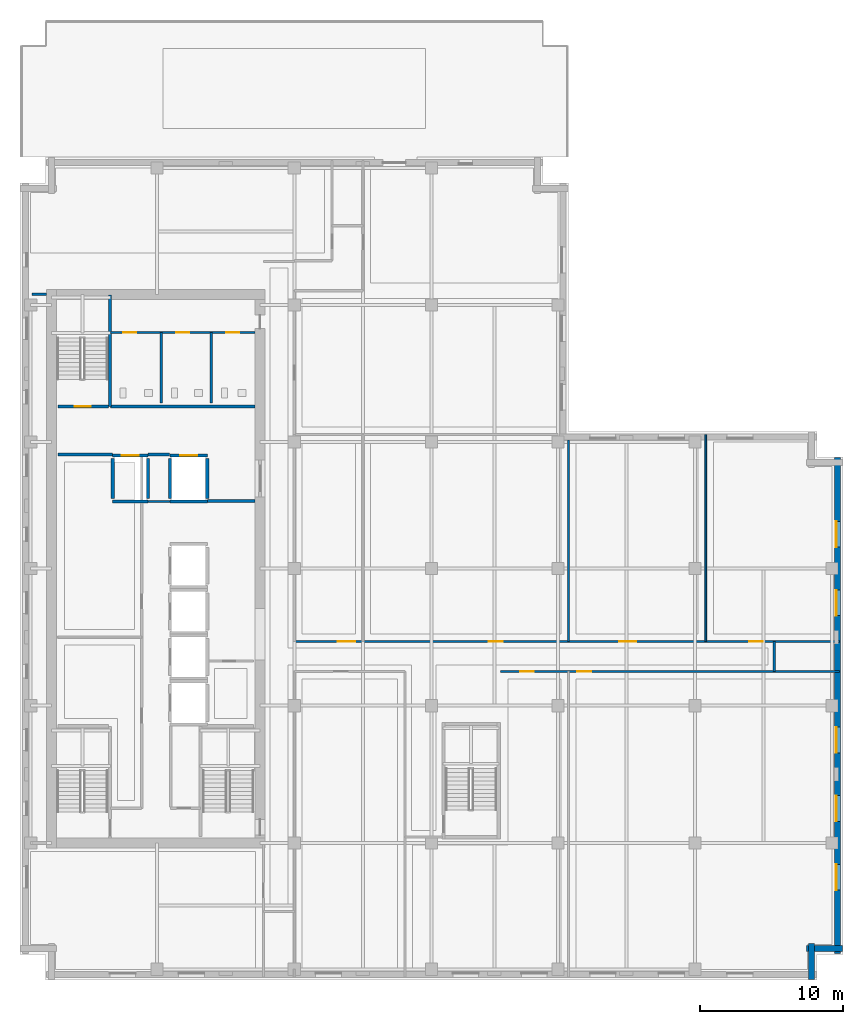
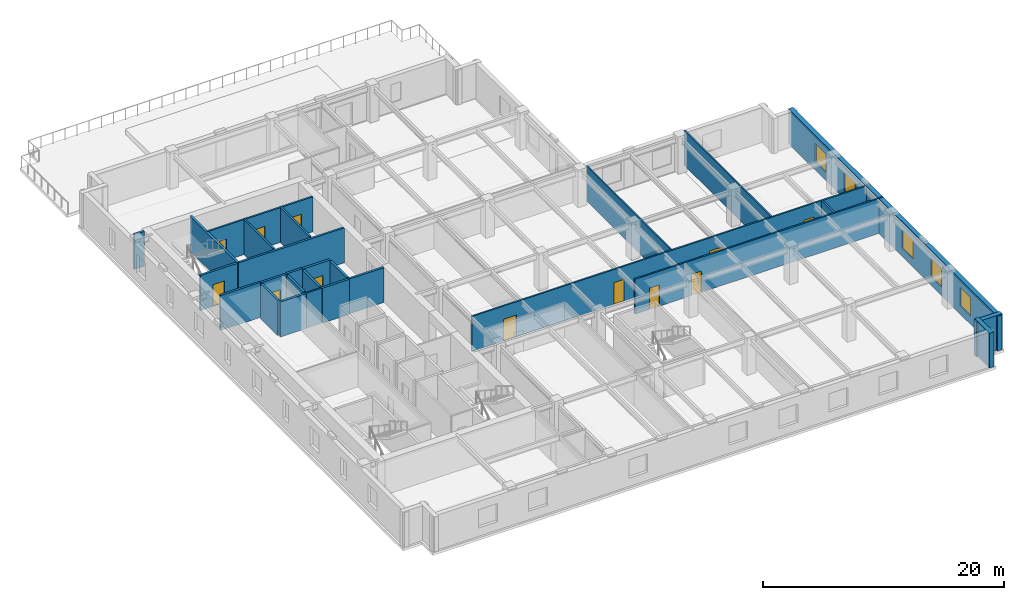
# One storey, part 5 of 12: 27 walls, 12 doors, 5 windows, 17 openings.
"""IFC4 building model written with IfcOpenShell, lengths in metres."""

from ifc_helpers import new_model, si_unit, direction, frame, frame_2d, origin, place, context, subcontext, project, spatial, rectangle, extrude, material, layer, layer_set, type_object, element, fill, save


model = new_model("IFC4")

# Units and contexts
model_context = context("Model", 3, precision=1e-05, world=origin(), true_north=direction((0.0, 1.0)))
body_context = subcontext(model_context, "Body", "Model", "MODEL_VIEW")
ifc_project = project(units=[si_unit("LENGTHUNIT", "METRE"), si_unit("AREAUNIT", "SQUARE_METRE"), si_unit("VOLUMEUNIT", "CUBIC_METRE"), si_unit("PLANEANGLEUNIT", "RADIAN"), si_unit("MASSUNIT", "GRAM", prefix="KILO")], contexts=[model_context])

# Site, building, storey
site_placement = place(None, origin())
site = spatial("IfcSite", under=ifc_project, at=site_placement, CompositionType="ELEMENT")
building_placement = place(site_placement, origin())
building = spatial("IfcBuilding", under=site, at=building_placement, Name="Norrvale University Quadrangle", CompositionType="ELEMENT")
storey_placement = place(building_placement, frame((0.0, 0.0, 199.0)))
storey = spatial("IfcBuildingStorey", under=building, at=storey_placement, Name="L50", CompositionType="ELEMENT", Elevation=199.0)

# Walls
ifc_material_1 = material(Name="Buff Norman Clay Brick Masonry", Category="masonry")
ifc_layer_1 = layer(ifc_material_1, 0.419921875, Name="Buff Norman Clay Brick Masonry")
ifc_layer_set_1 = layer_set([ifc_layer_1], Name="Buff Norman Clay Brick Masonry")
wall_type_1 = type_object("IfcWallType", Name="Wall Buff Brick 420", PredefinedType="SOLIDWALL", material=ifc_layer_set_1)
for number, where, z_axis, x_axis, name in (
    (1, (55.409912109375, 0.0400390625, 0.0), (0.0, 0.0, 1.0), (0.0, 1.0, 0.0), "Exterior Brick Facade Wall L50-02.1"),
    (2, (55.06005859375, 2.18994140625, 0.0), (0.0, 0.0, 1.0), (1.0, 0.0, 0.0), "Exterior Brick Facade Wall L50-03.1"),
):
    element("IfcWall", number, at=place(storey_placement, frame(where, z_axis=z_axis, x_axis=x_axis)), inside=storey, type_object=wall_type_1, Name=name, PredefinedType="SOLIDWALL", context=body_context, shape_type="SweptSolid", body=[
        extrude(rectangle(XDim=2.5, YDim=0.419921875, at=frame_2d((1.25, 0.0))), origin(), (0.0, 0.0, 1.0), 3.5400390625),
    ])

# Wall, openings, windows
wall_1_placement = place(storey_placement, frame((57.2099609375, 1.840087890625, 0.0), z_axis=(0.0, 0.0, 1.0), x_axis=(0.0, 1.0, 0.0)))
wall_1 = element("IfcWall", 3, at=wall_1_placement, inside=storey, type_object=wall_type_1, Name="Exterior Brick Facade Wall L50-04.1", PredefinedType="SOLIDWALL", context=body_context, shape_type="SweptSolid", body=[
    extrude(rectangle(XDim=34.719970703125, YDim=0.419921875, at=frame_2d((17.35986328125, 0.0))), origin(), (0.0, 0.0, 1.0), 3.5400390625),
])
opening_1_placement = place(wall_1_placement, frame((4.4599609375, 0.0, 0.85009765625)))
opening_1 = element("IfcOpeningElement", 4, at=opening_1_placement, cuts=wall_1, Name="Opening W01", PredefinedType="OPENING", context=body_context, shape_type="SweptSolid", body=[
    extrude(rectangle(XDim=1.800048828125, YDim=1.85009765625, at=frame_2d((0.89990234375, 0.925048828125))), frame((0.0, 0.221923828125, 0.0), z_axis=(0.0, -1.0, 0.0), x_axis=(1.0, 0.0, 0.0)), (0.0, 0.0, 1.0), 0.44384765625),
])
opening_2_placement = place(wall_1_placement, frame((9.260009765625, 0.0, 0.85009765625)))
opening_2 = element("IfcOpeningElement", 5, at=opening_2_placement, cuts=wall_1, Name="Opening W01", PredefinedType="OPENING", context=body_context, shape_type="SweptSolid", body=[
    extrude(rectangle(XDim=1.800048828125, YDim=1.85009765625, at=frame_2d((0.89990234375, 0.925048828125))), frame((0.0, 0.221923828125, 0.0), z_axis=(0.0, -1.0, 0.0), x_axis=(1.0, 0.0, 0.0)), (0.0, 0.0, 1.0), 0.44384765625),
])
opening_3_placement = place(wall_1_placement, frame((14.06005859375, 0.0, 0.85009765625)))
opening_3 = element("IfcOpeningElement", 6, at=opening_3_placement, cuts=wall_1, Name="Opening W01", PredefinedType="OPENING", context=body_context, shape_type="SweptSolid", body=[
    extrude(rectangle(XDim=1.800048828125, YDim=1.85009765625, at=frame_2d((0.89990234375, 0.925048828125))), frame((0.0, 0.221923828125, 0.0), z_axis=(0.0, -1.0, 0.0), x_axis=(1.0, 0.0, 0.0)), (0.0, 0.0, 1.0), 0.44384765625),
])
opening_4_placement = place(wall_1_placement, frame((23.659912109375, 0.0, 0.85009765625)))
opening_4 = element("IfcOpeningElement", 7, at=opening_4_placement, cuts=wall_1, Name="Opening W01", PredefinedType="OPENING", context=body_context, shape_type="SweptSolid", body=[
    extrude(rectangle(XDim=1.800048828125, YDim=1.85009765625, at=frame_2d((0.89990234375, 0.925048828125))), frame((0.0, 0.221923828125, 0.0), z_axis=(0.0, -1.0, 0.0), x_axis=(1.0, 0.0, 0.0)), (0.0, 0.0, 1.0), 0.44384765625),
])
opening_5_placement = place(wall_1_placement, frame((28.4599609375, 0.0, 0.85009765625)))
opening_5 = element("IfcOpeningElement", 8, at=opening_5_placement, cuts=wall_1, Name="Opening W01", PredefinedType="OPENING", context=body_context, shape_type="SweptSolid", body=[
    extrude(rectangle(XDim=1.800048828125, YDim=1.85009765625, at=frame_2d((0.89990234375, 0.925048828125))), frame((0.0, 0.221923828125, 0.0), z_axis=(0.0, -1.0, 0.0), x_axis=(1.0, 0.0, 0.0)), (0.0, 0.0, 1.0), 0.44384765625),
])
ifc_material_2 = material(Name="Triple Low-E Argon Glazing", Category="glass")
window_type = type_object("IfcWindowType", Name="Window Academic 1800x2300", PartitioningType="DOUBLE_PANEL_VERTICAL", PredefinedType="WINDOW", material=ifc_material_2)
window_1_placement = place(opening_1_placement, origin())
window_1 = element("IfcWindow", 9, at=window_1_placement, inside=storey, type_object=window_type, Name="Window Academic 1800x2300 WIN-L50-E04-1-01", OverallHeight=1.85009765625, OverallWidth=1.800048828125, PartitioningType="DOUBLE_PANEL_VERTICAL", PredefinedType="WINDOW", context=body_context, shape_type="SweptSolid", body=[
    extrude(rectangle(XDim=1.800048828125, YDim=1.85009765625, at=frame_2d((0.89990234375, 0.925048828125))), frame((0.0, 0.110107421875, 0.0), z_axis=(0.0, -1.0, 0.0), x_axis=(1.0, 0.0, 0.0)), (0.0, 0.0, 1.0), 0.06005859375),
])
fill(opening_1, window_1)
window_2_placement = place(opening_2_placement, origin())
window_2 = element("IfcWindow", 10, at=window_2_placement, inside=storey, type_object=window_type, Name="Window Academic 1800x2300 WIN-L50-E04-1-02", OverallHeight=1.85009765625, OverallWidth=1.800048828125, PartitioningType="DOUBLE_PANEL_VERTICAL", PredefinedType="WINDOW", context=body_context, shape_type="SweptSolid", body=[
    extrude(rectangle(XDim=1.800048828125, YDim=1.85009765625, at=frame_2d((0.89990234375, 0.925048828125))), frame((0.0, 0.110107421875, 0.0), z_axis=(0.0, -1.0, 0.0), x_axis=(1.0, 0.0, 0.0)), (0.0, 0.0, 1.0), 0.06005859375),
])
fill(opening_2, window_2)
window_3_placement = place(opening_3_placement, origin())
window_3 = element("IfcWindow", 11, at=window_3_placement, inside=storey, type_object=window_type, Name="Window Academic 1800x2300 WIN-L50-E04-1-03", OverallHeight=1.85009765625, OverallWidth=1.800048828125, PartitioningType="DOUBLE_PANEL_VERTICAL", PredefinedType="WINDOW", context=body_context, shape_type="SweptSolid", body=[
    extrude(rectangle(XDim=1.800048828125, YDim=1.85009765625, at=frame_2d((0.89990234375, 0.925048828125))), frame((0.0, 0.110107421875, 0.0), z_axis=(0.0, -1.0, 0.0), x_axis=(1.0, 0.0, 0.0)), (0.0, 0.0, 1.0), 0.06005859375),
])
fill(opening_3, window_3)
window_4_placement = place(opening_4_placement, origin())
window_4 = element("IfcWindow", 12, at=window_4_placement, inside=storey, type_object=window_type, Name="Window Academic 1800x2300 WIN-L50-E04-1-04", OverallHeight=1.85009765625, OverallWidth=1.800048828125, PartitioningType="DOUBLE_PANEL_VERTICAL", PredefinedType="WINDOW", context=body_context, shape_type="SweptSolid", body=[
    extrude(rectangle(XDim=1.800048828125, YDim=1.85009765625, at=frame_2d((0.89990234375, 0.925048828125))), frame((0.0, 0.110107421875, 0.0), z_axis=(0.0, -1.0, 0.0), x_axis=(1.0, 0.0, 0.0)), (0.0, 0.0, 1.0), 0.06005859375),
])
fill(opening_4, window_4)
window_5_placement = place(opening_5_placement, origin())
window_5 = element("IfcWindow", 13, at=window_5_placement, inside=storey, type_object=window_type, Name="Window Academic 1800x2300 WIN-L50-E04-1-05", OverallHeight=1.85009765625, OverallWidth=1.800048828125, PartitioningType="DOUBLE_PANEL_VERTICAL", PredefinedType="WINDOW", context=body_context, shape_type="SweptSolid", body=[
    extrude(rectangle(XDim=1.800048828125, YDim=1.85009765625, at=frame_2d((0.89990234375, 0.925048828125))), frame((0.0, 0.110107421875, 0.0), z_axis=(0.0, -1.0, 0.0), x_axis=(1.0, 0.0, 0.0)), (0.0, 0.0, 1.0), 0.06005859375),
])
fill(opening_5, window_5)

# Walls
ifc_material_3 = material(Name="Standard Academic Gypsum Partition")
ifc_layer_2 = layer(ifc_material_3, 0.125, Name="Standard Academic Gypsum Partition")
ifc_layer_set_2 = layer_set([ifc_layer_2], Name="Standard Academic Gypsum Partition")
wall_type_2 = type_object("IfcWallType", Name="Wall Gypsum Academic 125", PredefinedType="PARTITIONING", material=ifc_layer_set_2)
wall_2_placement = place(storey_placement, frame((38.39990234375, 23.699951171875, 0.0), z_axis=(0.0, 0.0, 1.0), x_axis=(0.0, 1.0, 0.0)))
element("IfcWall", 14, at=wall_2_placement, inside=storey, type_object=wall_type_2, Name="Interior Partition WL-L50-MEP02", PredefinedType="PARTITIONING", context=body_context, shape_type="SweptSolid", body=[
    extrude(rectangle(XDim=14.090087890625, YDim=0.125, at=frame_2d((7.044921875, 0.0))), origin(), (0.0, 0.0, 1.0), 3.5400390625),
])
wall_3_placement = place(storey_placement, frame((48.0, 23.699951171875, 0.0), z_axis=(0.0, 0.0, 1.0), x_axis=(0.0, 1.0, 0.0)))
element("IfcWall", 15, at=wall_3_placement, inside=storey, type_object=wall_type_2, Name="Interior Partition WL-L50-MEP03", PredefinedType="PARTITIONING", context=body_context, shape_type="SweptSolid", body=[
    extrude(rectangle(XDim=14.47998046875, YDim=0.125, at=frame_2d((7.239990234375, 0.0))), origin(), (0.0, 0.0, 1.0), 3.5400390625),
])
ifc_material_4 = material(Name="Fire-Rated Gypsum Stud Partition")
ifc_layer_3 = layer(ifc_material_4, 0.14990234375, Name="Fire-Rated Gypsum Stud Partition")
ifc_layer_set_3 = layer_set([ifc_layer_3], Name="Fire-Rated Gypsum Stud Partition")
wall_type_3 = type_object("IfcWallType", Name="Wall Gypsum Corridor 150", PredefinedType="PARTITIONING", material=ifc_layer_set_3)
wall_4_placement = place(storey_placement, frame((8.965087890625, 33.489990234375, 0.0), z_axis=(0.0, 0.0, 1.0), x_axis=(1.0, 0.0, 0.0)))
element("IfcWall", 16, at=wall_4_placement, inside=storey, type_object=wall_type_3, Name="Interior Partition WL-L50-LL3", PredefinedType="PARTITIONING", context=body_context, shape_type="SweptSolid", body=[
    extrude(rectangle(XDim=1.52001953125, YDim=0.14990234375, at=frame_2d((0.760009765625, 0.0))), origin(), (0.0, 0.0, 1.0), 3.5400390625),
])
wall_5_placement = place(storey_placement, frame((52.800048828125, 21.60009765625, 0.0), z_axis=(0.0, 0.0, 1.0), x_axis=(0.0, 1.0, 0.0)))
element("IfcWall", 17, at=wall_5_placement, inside=storey, type_object=wall_type_3, Name="Interior Partition WL-L50-CESP-E", PredefinedType="PARTITIONING", context=body_context, shape_type="SweptSolid", body=[
    extrude(rectangle(XDim=2.099853515625, YDim=0.14990234375, at=frame_2d((1.0498046875, 0.0))), origin(), (0.0, 0.0, 1.0), 3.5400390625),
])

# Wall, openings, doors
wall_6_placement = place(storey_placement, frame((33.6201171875, 21.60009765625, 0.0), z_axis=(0.0, 0.0, 1.0), x_axis=(1.0, 0.0, 0.0)))
wall_6 = element("IfcWall", 18, at=wall_6_placement, inside=storey, type_object=wall_type_3, Name="Interior Partition WL-L50-SEW2", PredefinedType="PARTITIONING", context=body_context, shape_type="SweptSolid", body=[
    extrude(rectangle(XDim=23.759765625, YDim=0.14990234375, at=frame_2d((11.8798828125, 0.0))), origin(), (0.0, 0.0, 1.0), 3.5400390625),
])
opening_6_placement = place(wall_6_placement, frame((1.39990234375, 0.0, 0.0)))
opening_6 = element("IfcOpeningElement", 19, at=opening_6_placement, cuts=wall_6, Name="Opening D07", PredefinedType="OPENING", context=body_context, shape_type="SweptSolid", body=[
    extrude(rectangle(XDim=0.949951171875, YDim=2.14990234375, at=frame_2d((0.47509765625, 1.074951171875))), frame((0.0, 0.0869140625, 0.0), z_axis=(0.0, -1.0, 0.0), x_axis=(1.0, 0.0, 0.0)), (0.0, 0.0, 1.0), 0.173828125),
])
opening_7_placement = place(wall_6_placement, frame((5.39990234375, 0.0, 0.0)))
opening_7 = element("IfcOpeningElement", 20, at=opening_7_placement, cuts=wall_6, Name="Opening D07", PredefinedType="OPENING", context=body_context, shape_type="SweptSolid", body=[
    extrude(rectangle(XDim=0.949951171875, YDim=2.14990234375, at=frame_2d((0.47509765625, 1.074951171875))), frame((0.0, 0.0869140625, 0.0), z_axis=(0.0, -1.0, 0.0), x_axis=(1.0, 0.0, 0.0)), (0.0, 0.0, 1.0), 0.173828125),
])
ifc_material_5 = material(Name="Solid-Core Maple Door", Category="wood")
door_type_1 = type_object("IfcDoorType", Name="Door Office 950x2150", OperationType="NOTDEFINED", PredefinedType="DOOR", material=ifc_material_5)
door_1_placement = place(opening_6_placement, origin())
door_1 = element("IfcDoor", 21, at=door_1_placement, inside=storey, type_object=door_type_1, Name="Door Office 950x2150 DR-L50-SE2", OperationType="SINGLE_SWING_RIGHT", OverallHeight=2.14990234375, OverallWidth=0.949951171875, PredefinedType="DOOR", context=body_context, shape_type="SweptSolid", body=[
    extrude(rectangle(XDim=0.949951171875, YDim=2.14990234375, at=frame_2d((0.47509765625, 1.074951171875))), frame((0.0, 0.02490234375, 0.0), z_axis=(0.0, -1.0, 0.0), x_axis=(1.0, 0.0, 0.0)), (0.0, 0.0, 1.0), 0.050048828125),
])
fill(opening_6, door_1)
door_2_placement = place(opening_7_placement, origin())
door_2 = element("IfcDoor", 22, at=door_2_placement, inside=storey, type_object=door_type_1, Name="Door Office 950x2150 DR-L50-SE3", OperationType="SINGLE_SWING_LEFT", OverallHeight=2.14990234375, OverallWidth=0.949951171875, PredefinedType="DOOR", context=body_context, shape_type="SweptSolid", body=[
    extrude(rectangle(XDim=0.949951171875, YDim=2.14990234375, at=frame_2d((0.47509765625, 1.074951171875))), frame((0.0, 0.02490234375, 0.0), z_axis=(0.0, -1.0, 0.0), x_axis=(1.0, 0.0, 0.0)), (0.0, 0.0, 1.0), 0.050048828125),
])
fill(opening_7, door_2)

wall_7_placement = place(storey_placement, frame((19.199951171875, 23.699951171875, 0.0), z_axis=(0.0, 0.0, 1.0), x_axis=(1.0, 0.0, 0.0)))
wall_7 = element("IfcWall", 23, at=wall_7_placement, inside=storey, type_object=wall_type_3, Name="Interior Partition WL-L50-MECW", PredefinedType="PARTITIONING", context=body_context, shape_type="SweptSolid", body=[
    extrude(rectangle(XDim=38.179931640625, YDim=0.14990234375, at=frame_2d((19.08984375, 0.0))), origin(), (0.0, 0.0, 1.0), 3.5400390625),
])
opening_8_placement = place(wall_7_placement, frame((3.050048828125, 0.0, 0.0)))
opening_8 = element("IfcOpeningElement", 24, at=opening_8_placement, cuts=wall_7, Name="Opening D05", PredefinedType="OPENING", context=body_context, shape_type="SweptSolid", body=[
    extrude(rectangle(XDim=1.199951171875, YDim=2.199951171875, at=frame_2d((0.60009765625, 1.10009765625))), frame((0.0, 0.0869140625, 0.0), z_axis=(0.0, -1.0, 0.0), x_axis=(1.0, 0.0, 0.0)), (0.0, 0.0, 1.0), 0.173828125),
])
opening_9_placement = place(wall_7_placement, frame((13.60009765625, 0.0, 0.0)))
opening_9 = element("IfcOpeningElement", 25, at=opening_9_placement, cuts=wall_7, Name="Opening D04", PredefinedType="OPENING", context=body_context, shape_type="SweptSolid", body=[
    extrude(rectangle(XDim=1.0, YDim=2.199951171875, at=frame_2d((0.5, 1.10009765625))), frame((0.0, 0.0869140625, 0.0), z_axis=(0.0, -1.0, 0.0), x_axis=(1.0, 0.0, 0.0)), (0.0, 0.0, 1.0), 0.173828125),
])
opening_10_placement = place(wall_7_placement, frame((22.75, 0.0, 0.0)))
opening_10 = element("IfcOpeningElement", 26, at=opening_10_placement, cuts=wall_7, Name="Opening D05", PredefinedType="OPENING", context=body_context, shape_type="SweptSolid", body=[
    extrude(rectangle(XDim=1.199951171875, YDim=2.199951171875, at=frame_2d((0.60009765625, 1.10009765625))), frame((0.0, 0.0869140625, 0.0), z_axis=(0.0, -1.0, 0.0), x_axis=(1.0, 0.0, 0.0)), (0.0, 0.0, 1.0), 0.173828125),
])
opening_11_placement = place(wall_7_placement, frame((31.85009765625, 0.0, 0.0)))
opening_11 = element("IfcOpeningElement", 27, at=opening_11_placement, cuts=wall_7, Name="Opening D07", PredefinedType="OPENING", context=body_context, shape_type="SweptSolid", body=[
    extrude(rectangle(XDim=0.949951171875, YDim=2.14990234375, at=frame_2d((0.47509765625, 1.074951171875))), frame((0.0, 0.0869140625, 0.0), z_axis=(0.0, -1.0, 0.0), x_axis=(1.0, 0.0, 0.0)), (0.0, 0.0, 1.0), 0.173828125),
])
ifc_material_6 = material(Name="Acoustic Oak Classroom Door", Category="wood")
door_type_2 = type_object("IfcDoorType", Name="Door Classroom 1200x2200", OperationType="NOTDEFINED", PredefinedType="DOOR", material=ifc_material_6)
door_3_placement = place(opening_8_placement, origin())
door_3 = element("IfcDoor", 28, at=door_3_placement, inside=storey, type_object=door_type_2, Name="Door Classroom 1200x2200 DR-L50-ME01", OperationType="SINGLE_SWING_LEFT", OverallHeight=2.199951171875, OverallWidth=1.199951171875, PredefinedType="DOOR", context=body_context, shape_type="SweptSolid", body=[
    extrude(rectangle(XDim=1.199951171875, YDim=2.199951171875, at=frame_2d((0.60009765625, 1.10009765625))), frame((0.0, 0.02490234375, 0.0), z_axis=(0.0, -1.0, 0.0), x_axis=(1.0, 0.0, 0.0)), (0.0, 0.0, 1.0), 0.050048828125),
])
fill(opening_8, door_3)
door_4_placement = place(opening_10_placement, origin())
door_4 = element("IfcDoor", 29, at=door_4_placement, inside=storey, type_object=door_type_2, Name="Door Classroom 1200x2200 DR-L50-ME03", OperationType="SINGLE_SWING_LEFT", OverallHeight=2.199951171875, OverallWidth=1.199951171875, PredefinedType="DOOR", context=body_context, shape_type="SweptSolid", body=[
    extrude(rectangle(XDim=1.199951171875, YDim=2.199951171875, at=frame_2d((0.60009765625, 1.10009765625))), frame((0.0, 0.02490234375, 0.0), z_axis=(0.0, -1.0, 0.0), x_axis=(1.0, 0.0, 0.0)), (0.0, 0.0, 1.0), 0.050048828125),
])
fill(opening_10, door_4)
ifc_material_7 = material(Name="Solid-Core Oak Fire Door", Category="wood")
door_type_3 = type_object("IfcDoorType", Name="Door Corridor 1000x2200", OperationType="NOTDEFINED", PredefinedType="DOOR", material=ifc_material_7)
door_5_placement = place(opening_9_placement, origin())
door_5 = element("IfcDoor", 30, at=door_5_placement, inside=storey, type_object=door_type_3, Name="Door Corridor 1000x2200 DR-L50-ME02", OperationType="SINGLE_SWING_RIGHT", OverallHeight=2.199951171875, OverallWidth=1.0, PredefinedType="DOOR", context=body_context, shape_type="SweptSolid", body=[
    extrude(rectangle(XDim=1.0, YDim=2.199951171875, at=frame_2d((0.5, 1.10009765625))), frame((0.0, 0.02490234375, 0.0), z_axis=(0.0, -1.0, 0.0), x_axis=(1.0, 0.0, 0.0)), (0.0, 0.0, 1.0), 0.050048828125),
])
fill(opening_9, door_5)
door_6_placement = place(opening_11_placement, origin())
door_6 = element("IfcDoor", 31, at=door_6_placement, inside=storey, type_object=door_type_1, Name="Door Office 950x2150 DR-L50-ME04", OperationType="SINGLE_SWING_RIGHT", OverallHeight=2.14990234375, OverallWidth=0.949951171875, PredefinedType="DOOR", context=body_context, shape_type="SweptSolid", body=[
    extrude(rectangle(XDim=0.949951171875, YDim=2.14990234375, at=frame_2d((0.47509765625, 1.074951171875))), frame((0.0, 0.02490234375, 0.0), z_axis=(0.0, -1.0, 0.0), x_axis=(1.0, 0.0, 0.0)), (0.0, 0.0, 1.0), 0.050048828125),
])
fill(opening_11, door_6)

ifc_material_8 = material(Name="Sanitary Chase Gypsum Partition")
ifc_layer_4 = layer(ifc_material_8, 0.1650390625, Name="Sanitary Chase Gypsum Partition")
ifc_layer_set_4 = layer_set([ifc_layer_4], Name="Sanitary Chase Gypsum Partition")
wall_type_4 = type_object("IfcWallType", Name="Wall Gypsum Sanitary 165", PredefinedType="PLUMBINGWALL", material=ifc_layer_set_4)
wall_8_placement = place(storey_placement, frame((6.320068359375, 45.320068359375, 0.0), z_axis=(0.0, 0.0, 1.0), x_axis=(1.0, 0.0, 0.0)))
wall_8 = element("IfcWall", 32, at=wall_8_placement, inside=storey, type_object=wall_type_4, Name="Interior Partition WL-L50-WCN", PredefinedType="PLUMBINGWALL", context=body_context, shape_type="SweptSolid", body=[
    extrude(rectangle(XDim=10.1298828125, YDim=0.1650390625, at=frame_2d((5.06494140625, 0.0))), origin(), (0.0, 0.0, 1.0), 3.5400390625),
])
opening_12_placement = place(wall_8_placement, frame((0.89990234375, 0.0, 0.0)))
opening_12 = element("IfcOpeningElement", 33, at=opening_12_placement, cuts=wall_8, Name="Opening D08", PredefinedType="OPENING", context=body_context, shape_type="SweptSolid", body=[
    extrude(rectangle(XDim=0.919921875, YDim=2.14990234375, at=frame_2d((0.4599609375, 1.074951171875))), frame((0.0, 0.094482421875, 0.0), z_axis=(0.0, -1.0, 0.0), x_axis=(1.0, 0.0, 0.0)), (0.0, 0.0, 1.0), 0.18896484375),
])
opening_13_placement = place(wall_8_placement, frame((4.60009765625, 0.0, 0.0)))
opening_13 = element("IfcOpeningElement", 34, at=opening_13_placement, cuts=wall_8, Name="Opening D08", PredefinedType="OPENING", context=body_context, shape_type="SweptSolid", body=[
    extrude(rectangle(XDim=0.919921875, YDim=2.14990234375, at=frame_2d((0.4599609375, 1.074951171875))), frame((0.0, 0.094482421875, 0.0), z_axis=(0.0, -1.0, 0.0), x_axis=(1.0, 0.0, 0.0)), (0.0, 0.0, 1.0), 0.18896484375),
])
opening_14_placement = place(wall_8_placement, frame((8.10009765625, 0.0, 0.0)))
opening_14 = element("IfcOpeningElement", 35, at=opening_14_placement, cuts=wall_8, Name="Opening D08", PredefinedType="OPENING", context=body_context, shape_type="SweptSolid", body=[
    extrude(rectangle(XDim=0.919921875, YDim=2.14990234375, at=frame_2d((0.4599609375, 1.074951171875))), frame((0.0, 0.094482421875, 0.0), z_axis=(0.0, -1.0, 0.0), x_axis=(1.0, 0.0, 0.0)), (0.0, 0.0, 1.0), 0.18896484375),
])
ifc_material_9 = material(Name="Laminate Washroom Door", Category="wood")
door_type_4 = type_object("IfcDoorType", Name="Door Washroom 920x2150", OperationType="NOTDEFINED", PredefinedType="DOOR", material=ifc_material_9)
door_7_placement = place(opening_12_placement, origin())
door_7 = element("IfcDoor", 36, at=door_7_placement, inside=storey, type_object=door_type_4, Name="Door Washroom 920x2150 DR-L50-WC1", OperationType="SINGLE_SWING_LEFT", OverallHeight=2.14990234375, OverallWidth=0.919921875, PredefinedType="DOOR", context=body_context, shape_type="SweptSolid", body=[
    extrude(rectangle(XDim=0.919921875, YDim=2.14990234375, at=frame_2d((0.4599609375, 1.074951171875))), frame((0.0, 0.02490234375, 0.0), z_axis=(0.0, -1.0, 0.0), x_axis=(1.0, 0.0, 0.0)), (0.0, 0.0, 1.0), 0.050048828125),
])
fill(opening_12, door_7)
door_8_placement = place(opening_13_placement, origin())
door_8 = element("IfcDoor", 37, at=door_8_placement, inside=storey, type_object=door_type_4, Name="Door Washroom 920x2150 DR-L50-WC2", OperationType="SINGLE_SWING_RIGHT", OverallHeight=2.14990234375, OverallWidth=0.919921875, PredefinedType="DOOR", context=body_context, shape_type="SweptSolid", body=[
    extrude(rectangle(XDim=0.919921875, YDim=2.14990234375, at=frame_2d((0.4599609375, 1.074951171875))), frame((0.0, 0.02490234375, 0.0), z_axis=(0.0, -1.0, 0.0), x_axis=(1.0, 0.0, 0.0)), (0.0, 0.0, 1.0), 0.050048828125),
])
fill(opening_13, door_8)
door_9_placement = place(opening_14_placement, origin())
door_9 = element("IfcDoor", 38, at=door_9_placement, inside=storey, type_object=door_type_4, Name="Door Washroom 920x2150 DR-L50-WC3", OperationType="SINGLE_SWING_LEFT", OverallHeight=2.14990234375, OverallWidth=0.919921875, PredefinedType="DOOR", context=body_context, shape_type="SweptSolid", body=[
    extrude(rectangle(XDim=0.919921875, YDim=2.14990234375, at=frame_2d((0.4599609375, 1.074951171875))), frame((0.0, 0.02490234375, 0.0), z_axis=(0.0, -1.0, 0.0), x_axis=(1.0, 0.0, 0.0)), (0.0, 0.0, 1.0), 0.050048828125),
])
fill(opening_14, door_9)

# Walls
for number, where, z_axis, x_axis, name in (
    (39, (9.89990234375, 40.39990234375, 0.0), (0.0, 0.0, 1.0), (0.0, 1.0, 0.0), "Interior Partition WL-L50-WCM1"),
    (40, (13.39990234375, 40.39990234375, 0.0), (0.0, 0.0, 1.0), (0.0, 1.0, 0.0), "Interior Partition WL-L50-WCM2"),
):
    element("IfcWall", number, at=place(storey_placement, frame(where, z_axis=z_axis, x_axis=x_axis)), inside=storey, type_object=wall_type_4, Name=name, PredefinedType="PLUMBINGWALL", context=body_context, shape_type="SweptSolid", body=[
        extrude(rectangle(XDim=4.920166015625, YDim=0.1650390625, at=frame_2d((2.4599609375, 0.0))), origin(), (0.0, 0.0, 1.0), 3.5400390625),
    ])
ifc_material_10 = material(Name="Concrete Blockwork 20 MPa Rated Wall", Category="masonry")
ifc_layer_5 = layer(ifc_material_10, 0.199951171875, Name="Concrete Blockwork 20 MPa Rated Wall")
ifc_layer_set_5 = layer_set([ifc_layer_5], Name="Concrete Blockwork 20 MPa Rated Wall")
wall_type_5 = type_object("IfcWallType", Name="Wall Lobby 200", PredefinedType="SOLIDWALL", material=ifc_layer_set_5)
wall_9_placement = place(storey_placement, frame((2.64990234375, 36.780029296875, 0.0), z_axis=(0.0, 0.0, 1.0), x_axis=(1.0, 0.0, 0.0)))
element("IfcWall", 41, at=wall_9_placement, inside=storey, type_object=wall_type_5, Name="Interior Partition WL-L50-FF1", PredefinedType="SOLIDWALL", context=body_context, shape_type="SweptSolid", body=[
    extrude(rectangle(XDim=3.830078125, YDim=0.199951171875, at=frame_2d((1.9150390625, 0.0))), origin(), (0.0, 0.0, 1.0), 3.5400390625),
])
wall_10_placement = place(storey_placement, frame((8.969970703125, 36.780029296875, 0.0), z_axis=(0.0, 0.0, 1.0), x_axis=(1.0, 0.0, 0.0)))
element("IfcWall", 42, at=wall_10_placement, inside=storey, type_object=wall_type_5, Name="Interior Partition WL-L50-FF2", PredefinedType="SOLIDWALL", context=body_context, shape_type="SweptSolid", body=[
    extrude(rectangle(XDim=1.510009765625, YDim=0.199951171875, at=frame_2d((0.7548828125, 0.0))), origin(), (0.0, 0.0, 1.0), 3.5400390625),
])
wall_11_placement = place(storey_placement, frame((13.1201171875, 33.52001953125, 0.0), z_axis=(0.0, 0.0, 1.0), x_axis=(1.0, 0.0, 0.0)))
element("IfcWall", 43, at=wall_11_placement, inside=storey, type_object=wall_type_5, Name="Interior Partition WL-L50-FF3", PredefinedType="SOLIDWALL", context=body_context, shape_type="SweptSolid", body=[
    extrude(rectangle(XDim=3.329833984375, YDim=0.199951171875, at=frame_2d((1.6650390625, 0.0))), origin(), (0.0, 0.0, 1.0), 3.5400390625),
])
wall_12_placement = place(storey_placement, frame((6.320068359375, 40.139892578125, 0.0), z_axis=(0.0, 0.0, 1.0), x_axis=(1.0, 0.0, 0.0)))
element("IfcWall", 44, at=wall_12_placement, inside=storey, type_object=wall_type_5, Name="Interior Partition WL-L50-FF4", PredefinedType="SOLIDWALL", context=body_context, shape_type="SweptSolid", body=[
    extrude(rectangle(XDim=10.1298828125, YDim=0.199951171875, at=frame_2d((5.06494140625, 0.0))), origin(), (0.0, 0.0, 1.0), 3.5400390625),
])
wall_13_placement = place(storey_placement, frame((0.85009765625, 48.0, 0.0), z_axis=(0.0, 0.0, 1.0), x_axis=(1.0, 0.0, 0.0)))
element("IfcWall", 45, at=wall_13_placement, inside=storey, type_object=wall_type_5, Name="Interior Partition WL-L50-CWRET-N", PredefinedType="SOLIDWALL", context=body_context, shape_type="SweptSolid", body=[
    extrude(rectangle(XDim=0.994873046875, YDim=0.199951171875, at=frame_2d((0.49755859375, 0.0))), origin(), (0.0, 0.0, 1.0), 3.5400390625),
])

# Wall, opening, door
ifc_material_11 = material(Name="Concrete Blockwork 20 MPa Fire Shaft", Category="masonry")
ifc_layer_6 = layer(ifc_material_11, 0.219970703125, Name="Concrete Blockwork 20 MPa Fire Shaft")
ifc_layer_set_6 = layer_set([ifc_layer_6], Name="Concrete Blockwork 20 MPa Fire Shaft")
wall_type_6 = type_object("IfcWallType", Name="Wall Shaft 220", PredefinedType="SOLIDWALL", material=ifc_layer_set_6)
wall_14_placement = place(storey_placement, frame((2.64990234375, 40.139892578125, 0.0), z_axis=(0.0, 0.0, 1.0), x_axis=(1.0, 0.0, 0.0)))
wall_14 = element("IfcWall", 46, at=wall_14_placement, inside=storey, type_object=wall_type_6, Name="Stair ST-02 South Shaft Wall L50", PredefinedType="SOLIDWALL", context=body_context, shape_type="SweptSolid", body=[
    extrude(rectangle(XDim=3.550048828125, YDim=0.219970703125, at=frame_2d((1.77490234375, 0.0))), origin(), (0.0, 0.0, 1.0), 3.5400390625),
])
opening_15_placement = place(wall_14_placement, frame((1.199951171875, 0.0, 0.0)))
opening_15 = element("IfcOpeningElement", 47, at=opening_15_placement, cuts=wall_14, Name="Opening D02", PredefinedType="OPENING", context=body_context, shape_type="SweptSolid", body=[
    extrude(rectangle(XDim=1.10009765625, YDim=2.199951171875, at=frame_2d((0.550048828125, 1.10009765625))), frame((0.0, 0.1220703125, 0.0), z_axis=(0.0, -1.0, 0.0), x_axis=(1.0, 0.0, 0.0)), (0.0, 0.0, 1.0), 0.243896484375),
])
ifc_material_12 = material(Name="Hollow Steel 350W Fire Door", Category="steel")
door_type_5 = type_object("IfcDoorType", Name="Door Stair Exit 1100x2200", OperationType="NOTDEFINED", PredefinedType="DOOR", material=ifc_material_12)
door_10_placement = place(opening_15_placement, origin())
door_10 = element("IfcDoor", 48, at=door_10_placement, inside=storey, type_object=door_type_5, Name="Door Stair Exit 1100x2200 DR-L50-ST02", OperationType="SINGLE_SWING_LEFT", OverallHeight=2.199951171875, OverallWidth=1.10009765625, PredefinedType="DOOR", context=body_context, shape_type="SweptSolid", body=[
    extrude(rectangle(XDim=1.10009765625, YDim=2.199951171875, at=frame_2d((0.550048828125, 1.10009765625))), frame((0.0, 0.02490234375, 0.0), z_axis=(0.0, -1.0, 0.0), x_axis=(1.0, 0.0, 0.0)), (0.0, 0.0, 1.0), 0.050048828125),
])
fill(opening_15, door_10)

# Walls
wall_15_placement = place(storey_placement, frame((6.31005859375, 40.139892578125, 0.0), z_axis=(0.0, 0.0, 1.0), x_axis=(0.0, 1.0, 0.0)))
element("IfcWall", 49, at=wall_15_placement, inside=storey, type_object=wall_type_6, Name="Stair ST-02 East Shaft Wall L50", PredefinedType="SOLIDWALL", context=body_context, shape_type="SweptSolid", body=[
    extrude(rectangle(XDim=7.81005859375, YDim=0.219970703125, at=frame_2d((3.905029296875, 0.0))), origin(), (0.0, 0.0, 1.0), 3.5400390625),
])
for number, where, z_axis, x_axis, name in (
    (50, (6.489990234375, 33.7099609375, 0.0), (0.0, 0.0, 1.0), (0.0, 1.0, 0.0), "Hoistway FFL-01 West Wall L50"),
    (51, (8.9599609375, 33.7099609375, 0.0), (0.0, 0.0, 1.0), (0.0, 1.0, 0.0), "Hoistway FFL-01 East Wall L50"),
):
    element("IfcWall", number, at=place(storey_placement, frame(where, z_axis=z_axis, x_axis=x_axis)), inside=storey, type_object=wall_type_6, Name=name, PredefinedType="SOLIDWALL", context=body_context, shape_type="SweptSolid", body=[
        extrude(rectangle(XDim=2.780029296875, YDim=0.219970703125, at=frame_2d((1.39013671875, 0.0))), origin(), (0.0, 0.0, 1.0), 3.5400390625),
    ])
wall_16_placement = place(storey_placement, frame((6.489990234375, 33.489990234375, 0.0), z_axis=(0.0, 0.0, 1.0), x_axis=(1.0, 0.0, 0.0)))
element("IfcWall", 52, at=wall_16_placement, inside=storey, type_object=wall_type_6, Name="Hoistway FFL-01 South Wall L50", PredefinedType="SOLIDWALL", context=body_context, shape_type="SweptSolid", body=[
    extrude(rectangle(XDim=2.469970703125, YDim=0.219970703125, at=frame_2d((1.23486328125, 0.0))), origin(), (0.0, 0.0, 1.0), 3.5400390625),
])

# Wall, opening, door
wall_17_placement = place(storey_placement, frame((6.489990234375, 36.7099609375, 0.0), z_axis=(0.0, 0.0, 1.0), x_axis=(1.0, 0.0, 0.0)))
wall_17 = element("IfcWall", 53, at=wall_17_placement, inside=storey, type_object=wall_type_6, Name="Hoistway FFL-01 North Wall L50", PredefinedType="SOLIDWALL", context=body_context, shape_type="SweptSolid", body=[
    extrude(rectangle(XDim=2.469970703125, YDim=0.219970703125, at=frame_2d((1.23486328125, 0.0))), origin(), (0.0, 0.0, 1.0), 3.5400390625),
])
opening_16_placement = place(wall_17_placement, frame((0.635009765625, 0.0, 0.0)))
opening_16 = element("IfcOpeningElement", 54, at=opening_16_placement, cuts=wall_17, Name="Opening LD2", PredefinedType="OPENING", context=body_context, shape_type="SweptSolid", body=[
    extrude(rectangle(XDim=1.199951171875, YDim=2.199951171875, at=frame_2d((0.60009765625, 1.10009765625))), frame((0.0, 0.1220703125, 0.0), z_axis=(0.0, -1.0, 0.0), x_axis=(1.0, 0.0, 0.0)), (0.0, 0.0, 1.0), 0.243896484375),
])
ifc_material_13 = material(Name="Stainless Steel 316L Firefighter Lift Door", Category="steel")
door_type_6 = type_object("IfcDoorType", Name="Door Fire Lift 1200x2200", OperationType="DOUBLE_DOOR_SLIDING", PredefinedType="DOOR", material=ifc_material_13)
door_11_placement = place(opening_16_placement, origin())
door_11 = element("IfcDoor", 55, at=door_11_placement, inside=storey, type_object=door_type_6, Name="Elevator Landing Door DR-L50-FFL-01", OperationType="DOUBLE_DOOR_SLIDING", OverallHeight=2.199951171875, OverallWidth=1.199951171875, PredefinedType="DOOR", context=body_context, shape_type="SweptSolid", body=[
    extrude(rectangle(XDim=1.199951171875, YDim=2.199951171875, at=frame_2d((0.60009765625, 1.10009765625))), frame((0.0, 0.02490234375, 0.0), z_axis=(0.0, -1.0, 0.0), x_axis=(1.0, 0.0, 0.0)), (0.0, 0.0, 1.0), 0.050048828125),
])
fill(opening_16, door_11)

# Walls
for number, where, z_axis, x_axis, name in (
    (56, (10.489990234375, 33.7099609375, 0.0), (0.0, 0.0, 1.0), (0.0, 1.0, 0.0), "Hoistway FFL-02 West Wall L50"),
    (57, (13.110107421875, 33.7099609375, 0.0), (0.0, 0.0, 1.0), (0.0, 1.0, 0.0), "Hoistway FFL-02 East Wall L50"),
):
    element("IfcWall", number, at=place(storey_placement, frame(where, z_axis=z_axis, x_axis=x_axis)), inside=storey, type_object=wall_type_6, Name=name, PredefinedType="SOLIDWALL", context=body_context, shape_type="SweptSolid", body=[
        extrude(rectangle(XDim=2.780029296875, YDim=0.219970703125, at=frame_2d((1.39013671875, 0.0))), origin(), (0.0, 0.0, 1.0), 3.5400390625),
    ])
wall_18_placement = place(storey_placement, frame((10.489990234375, 33.489990234375, 0.0), z_axis=(0.0, 0.0, 1.0), x_axis=(1.0, 0.0, 0.0)))
element("IfcWall", 58, at=wall_18_placement, inside=storey, type_object=wall_type_6, Name="Hoistway FFL-02 South Wall L50", PredefinedType="SOLIDWALL", context=body_context, shape_type="SweptSolid", body=[
    extrude(rectangle(XDim=2.6201171875, YDim=0.219970703125, at=frame_2d((1.31005859375, 0.0))), origin(), (0.0, 0.0, 1.0), 3.5400390625),
])

# Wall, opening, door
wall_19_placement = place(storey_placement, frame((10.489990234375, 36.7099609375, 0.0), z_axis=(0.0, 0.0, 1.0), x_axis=(1.0, 0.0, 0.0)))
wall_19 = element("IfcWall", 59, at=wall_19_placement, inside=storey, type_object=wall_type_6, Name="Hoistway FFL-02 North Wall L50", PredefinedType="SOLIDWALL", context=body_context, shape_type="SweptSolid", body=[
    extrude(rectangle(XDim=2.6201171875, YDim=0.219970703125, at=frame_2d((1.31005859375, 0.0))), origin(), (0.0, 0.0, 1.0), 3.5400390625),
])
opening_17_placement = place(wall_19_placement, frame((0.7099609375, 0.0, 0.0)))
opening_17 = element("IfcOpeningElement", 60, at=opening_17_placement, cuts=wall_19, Name="Opening LD2", PredefinedType="OPENING", context=body_context, shape_type="SweptSolid", body=[
    extrude(rectangle(XDim=1.199951171875, YDim=2.199951171875, at=frame_2d((0.60009765625, 1.10009765625))), frame((0.0, 0.1220703125, 0.0), z_axis=(0.0, -1.0, 0.0), x_axis=(1.0, 0.0, 0.0)), (0.0, 0.0, 1.0), 0.243896484375),
])
door_12_placement = place(opening_17_placement, origin())
door_12 = element("IfcDoor", 61, at=door_12_placement, inside=storey, type_object=door_type_6, Name="Elevator Landing Door DR-L50-FFL-02", OperationType="DOUBLE_DOOR_SLIDING", OverallHeight=2.199951171875, OverallWidth=1.199951171875, PredefinedType="DOOR", context=body_context, shape_type="SweptSolid", body=[
    extrude(rectangle(XDim=1.199951171875, YDim=2.199951171875, at=frame_2d((0.60009765625, 1.10009765625))), frame((0.0, 0.02490234375, 0.0), z_axis=(0.0, -1.0, 0.0), x_axis=(1.0, 0.0, 0.0)), (0.0, 0.0, 1.0), 0.050048828125),
])
fill(opening_17, door_12)

save(model, "model.ifc")
